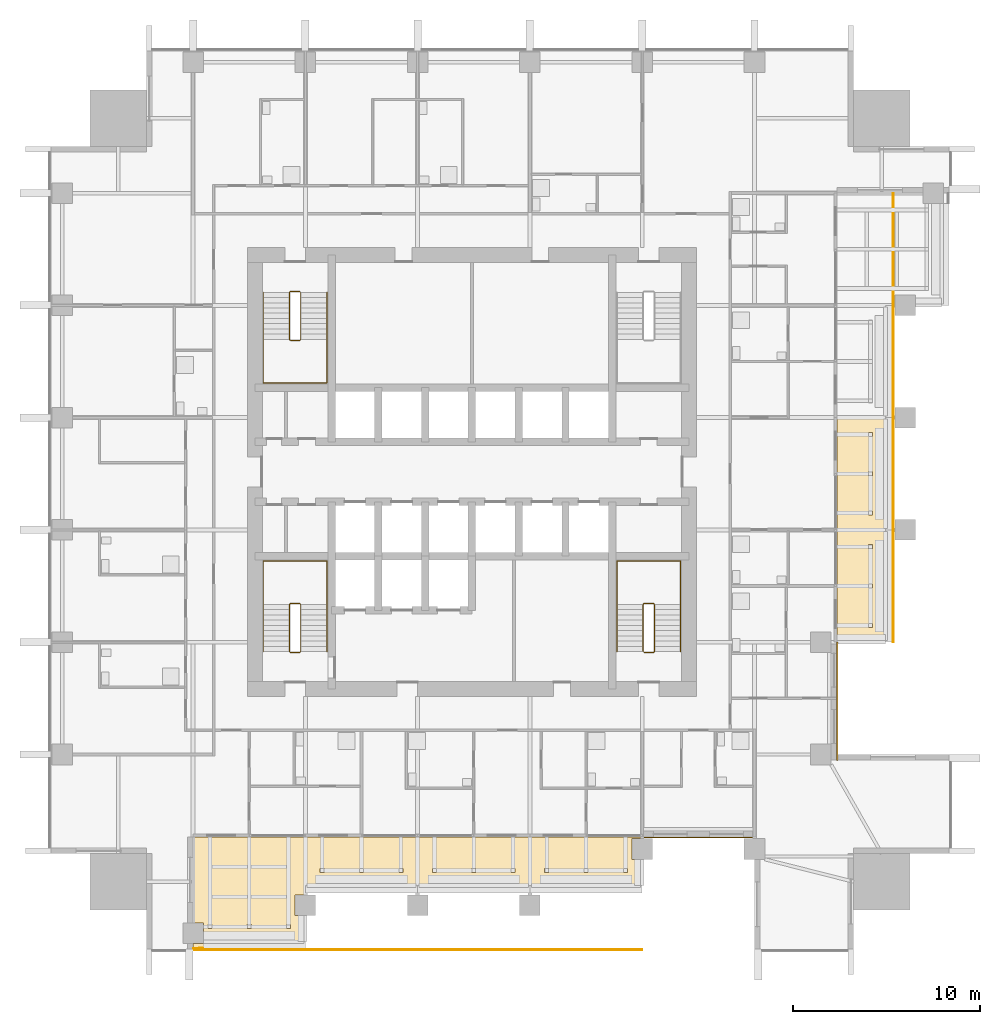
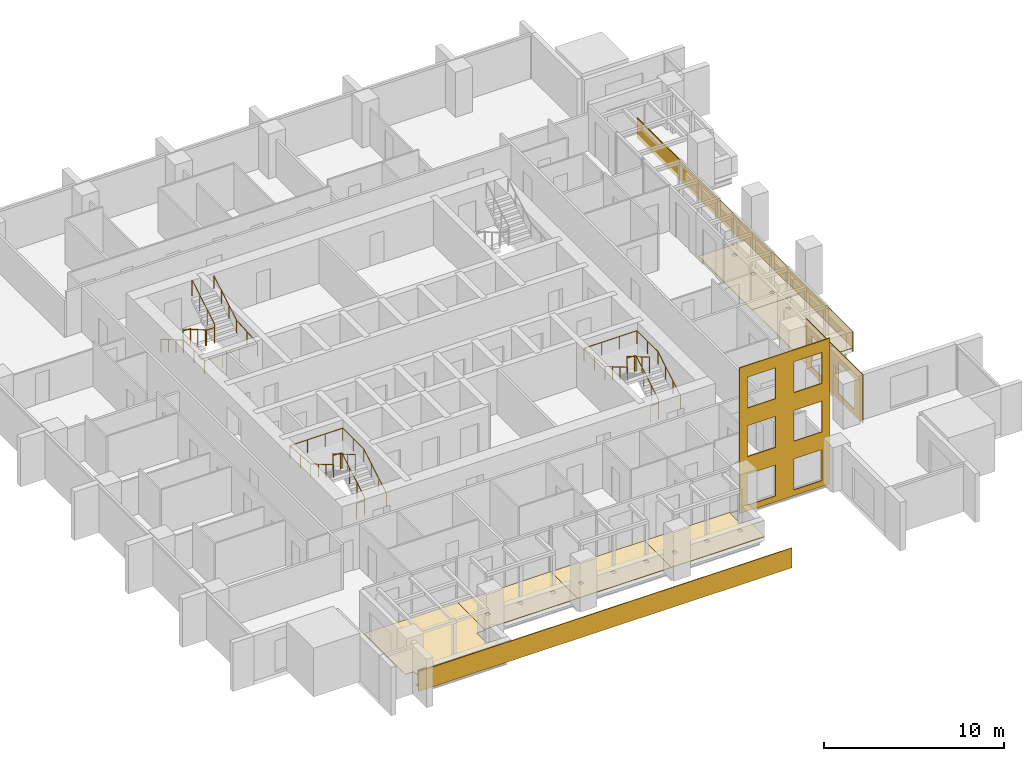
# One storey, part 14 of 16: 10 coverings, 7 railings.
"""IFC4 building model written with IfcOpenShell, lengths in metres."""

from ifc_helpers import new_model, si_unit, direction, frame, origin, origin_2d, place, context, subcontext, project, spatial, polyline, circle, outline, extrude, material, layer, layer_set, type_object, element, save


model = new_model("IFC4")

# Units and contexts
model_context = context("Model", 3, precision=1e-05, world=origin(), true_north=direction((0.0, 1.0)))
body_context = subcontext(model_context, "Body", "Model", "MODEL_VIEW")
ifc_project = project(units=[si_unit("LENGTHUNIT", "METRE"), si_unit("AREAUNIT", "SQUARE_METRE"), si_unit("VOLUMEUNIT", "CUBIC_METRE"), si_unit("PLANEANGLEUNIT", "RADIAN"), si_unit("MASSUNIT", "GRAM", prefix="KILO")], contexts=[model_context])

# Site, building, storey
site_placement = place(None, origin())
site = spatial("IfcSite", under=ifc_project, at=site_placement, CompositionType="ELEMENT")
building_placement = place(site_placement, origin())
building = spatial("IfcBuilding", under=site, at=building_placement, Name="Amberfall Residences", CompositionType="ELEMENT")
storey_placement = place(building_placement, frame((0.0, 0.0, 108.39990234375)))
storey = spatial("IfcBuildingStorey", under=building, at=storey_placement, Name="L29", CompositionType="ELEMENT", Elevation=108.39990234375)

# Coverings
ifc_material_1 = material(Name="Pale limestone cladding", Category="masonry")
ifc_layer_1 = layer(ifc_material_1, 0.050048828125)
ifc_layer_set_1 = layer_set([ifc_layer_1], Name="Limestone fascia 50")
covering_type_1 = type_object("IfcCoveringType", Name="Limestone fascia 50", PredefinedType="CLADDING", material=ifc_layer_set_1)
covering_1_placement = place(storey_placement, frame((0.0, 0.0, -0.25)))
element("IfcCovering", 1, at=covering_1_placement, inside=storey, type_object=covering_type_1, Name="Limestone terrace fascia L29 S1", PredefinedType="CLADDING", context=body_context, shape_type="SweptSolid", body=[
    extrude(outline(polyline([(59.60009765625, 20.0), (83.60009765625, 20.0), (83.60009765625, 19.949951171875), (59.60009765625, 19.949951171875), (59.60009765625, 20.0)])), origin(), (0.0, 0.0, 1.0), 1.35009765625),
])
covering_2_placement = place(storey_placement, frame((0.0, 0.0, -0.25)))
element("IfcCovering", 2, at=covering_2_placement, inside=storey, type_object=covering_type_1, Name="Limestone terrace fascia L29 E1", PredefinedType="CLADDING", context=body_context, shape_type="SweptSolid", body=[
    extrude(outline(polyline([(97.0, 36.39990234375), (97.0, 60.39990234375), (97.050048828125, 60.39990234375), (97.050048828125, 36.39990234375), (97.0, 36.39990234375)])), origin(), (0.0, 0.0, 1.0), 1.35009765625),
])
covering_3_placement = place(storey_placement, frame((94.0, 30.10009765625, 3.050048828125), z_axis=(-1.0, 0.0, 0.0), x_axis=(0.0, 1.0, 0.0)))
element("IfcCovering", 3, at=covering_3_placement, inside=storey, type_object=covering_type_1, Name="Pale limestone cladding L29 E", PredefinedType="CLADDING", context=body_context, shape_type="SweptSolid", body=[
    extrude(outline(polyline([(0.0, 0.0), (6.2998046875, 0.0), (6.2998046875, 3.300048828125), (0.0, 3.300048828125), (0.0, 0.0)]), holes=[polyline([(0.89990234375, 0.800048828125), (2.699951171875, 0.800048828125), (2.699951171875, 2.89990234375), (0.89990234375, 2.89990234375), (0.89990234375, 0.800048828125)]), polyline([(3.89990234375, 0.800048828125), (5.699951171875, 0.800048828125), (5.699951171875, 2.89990234375), (3.89990234375, 2.89990234375), (3.89990234375, 0.800048828125)])]), origin(), (0.0, 0.0, -1.0), 0.050048828125),
])
covering_4_placement = place(storey_placement, frame((83.699951171875, 26.0, 9.650146484375), z_axis=(0.0, 1.0, 0.0), x_axis=(1.0, 0.0, 0.0)))
element("IfcCovering", 4, at=covering_4_placement, inside=storey, type_object=covering_type_1, Name="Pale limestone cladding L29-L31 S", PredefinedType="CLADDING", context=body_context, shape_type="SweptSolid", body=[
    extrude(outline(polyline([(0.0, 0.0), (5.7900390625, 0.0), (5.7900390625, 9.900146484375), (0.0, 9.900146484375), (0.0, 0.0)]), holes=[polyline([(0.5, 7.400146484375), (2.300048828125, 7.400146484375), (2.300048828125, 9.5), (0.5, 9.5), (0.5, 7.400146484375)]), polyline([(3.5, 7.400146484375), (5.300048828125, 7.400146484375), (5.300048828125, 9.5), (3.5, 9.5), (3.5, 7.400146484375)]), polyline([(0.5, 4.10009765625), (2.300048828125, 4.10009765625), (2.300048828125, 6.199951171875), (0.5, 6.199951171875), (0.5, 4.10009765625)]), polyline([(3.5, 4.10009765625), (5.300048828125, 4.10009765625), (5.300048828125, 6.199951171875), (3.5, 6.199951171875), (3.5, 4.10009765625)]), polyline([(0.5, 0.800048828125), (2.300048828125, 0.800048828125), (2.300048828125, 2.900146484375), (0.5, 2.900146484375), (0.5, 0.800048828125)]), polyline([(3.5, 0.800048828125), (5.300048828125, 0.800048828125), (5.300048828125, 2.900146484375), (3.5, 2.900146484375), (3.5, 0.800048828125)])]), origin(), (0.0, 0.0, -1.0), 0.050048828125),
])
ifc_material_2 = material(Name="Pale stone paving", Category="masonry")
ifc_layer_2 = layer(ifc_material_2, 0.030029296875)
ifc_layer_set_2 = layer_set([ifc_layer_2], Name="Pale stone paving 30")
covering_type_2 = type_object("IfcCoveringType", Name="Pale stone paving 30", PredefinedType="FLOORING", material=ifc_layer_set_2)
covering_5_placement = place(storey_placement, origin())
element("IfcCovering", 5, at=covering_5_placement, inside=storey, type_object=covering_type_2, Name="Pale stone paving L29 S1", PredefinedType="FLOORING", context=body_context, shape_type="SweptSolid", body=[
    extrude(outline(polyline([(65.60009765625, 20.0), (65.60009765625, 21.800048828125), (65.050048828125, 21.800048828125), (65.050048828125, 22.89990234375), (65.60009765625, 22.89990234375), (65.60009765625, 26.0), (59.60009765625, 26.0), (59.60009765625, 21.39990234375), (60.14990234375, 21.39990234375), (60.14990234375, 20.300048828125), (59.60009765625, 20.300048828125), (59.60009765625, 20.0), (65.60009765625, 20.0)]), holes=[polyline([(60.389892578125, 21.090087890625), (60.610107421875, 21.090087890625), (60.610107421875, 21.31005859375), (60.389892578125, 21.31005859375), (60.389892578125, 21.090087890625)]), polyline([(62.489990234375, 21.090087890625), (62.7099609375, 21.090087890625), (62.7099609375, 21.31005859375), (62.489990234375, 21.31005859375), (62.489990234375, 21.090087890625)]), polyline([(64.590087890625, 21.090087890625), (64.81005859375, 21.090087890625), (64.81005859375, 21.31005859375), (64.590087890625, 21.31005859375), (64.590087890625, 21.090087890625)])]), origin(), (0.0, 0.0, 1.0), 0.030029296875),
])
covering_6_placement = place(storey_placement, origin())
element("IfcCovering", 6, at=covering_6_placement, inside=storey, type_object=covering_type_2, Name="Pale stone paving L29 S2", PredefinedType="FLOORING", context=body_context, shape_type="SweptSolid", body=[
    extrude(outline(polyline([(71.60009765625, 26.0), (65.60009765625, 26.0), (65.60009765625, 23.0), (71.60009765625, 23.0), (71.60009765625, 26.0)]), holes=[polyline([(66.389892578125, 24.090087890625), (66.610107421875, 24.090087890625), (66.610107421875, 24.31005859375), (66.389892578125, 24.31005859375), (66.389892578125, 24.090087890625)]), polyline([(68.489990234375, 24.090087890625), (68.7099609375, 24.090087890625), (68.7099609375, 24.31005859375), (68.489990234375, 24.31005859375), (68.489990234375, 24.090087890625)]), polyline([(70.590087890625, 24.090087890625), (70.81005859375, 24.090087890625), (70.81005859375, 24.31005859375), (70.590087890625, 24.31005859375), (70.590087890625, 24.090087890625)])]), origin(), (0.0, 0.0, 1.0), 0.030029296875),
])
covering_7_placement = place(storey_placement, origin())
element("IfcCovering", 7, at=covering_7_placement, inside=storey, type_object=covering_type_2, Name="Pale stone paving L29 S3", PredefinedType="FLOORING", context=body_context, shape_type="SweptSolid", body=[
    extrude(outline(polyline([(77.60009765625, 26.0), (71.60009765625, 26.0), (71.60009765625, 23.0), (77.60009765625, 23.0), (77.60009765625, 26.0)]), holes=[polyline([(72.389892578125, 24.090087890625), (72.610107421875, 24.090087890625), (72.610107421875, 24.31005859375), (72.389892578125, 24.31005859375), (72.389892578125, 24.090087890625)]), polyline([(74.489990234375, 24.090087890625), (74.7099609375, 24.090087890625), (74.7099609375, 24.31005859375), (74.489990234375, 24.31005859375), (74.489990234375, 24.090087890625)]), polyline([(76.590087890625, 24.090087890625), (76.81005859375, 24.090087890625), (76.81005859375, 24.31005859375), (76.590087890625, 24.31005859375), (76.590087890625, 24.090087890625)])]), origin(), (0.0, 0.0, 1.0), 0.030029296875),
])
covering_8_placement = place(storey_placement, origin())
element("IfcCovering", 8, at=covering_8_placement, inside=storey, type_object=covering_type_2, Name="Pale stone paving L29 S4", PredefinedType="FLOORING", context=body_context, shape_type="SweptSolid", body=[
    extrude(outline(polyline([(83.60009765625, 26.0), (77.60009765625, 26.0), (77.60009765625, 23.0), (83.60009765625, 23.0), (83.60009765625, 24.800048828125), (83.050048828125, 24.800048828125), (83.050048828125, 25.89990234375), (83.60009765625, 25.89990234375), (83.60009765625, 26.0)]), holes=[polyline([(78.389892578125, 24.090087890625), (78.610107421875, 24.090087890625), (78.610107421875, 24.31005859375), (78.389892578125, 24.31005859375), (78.389892578125, 24.090087890625)]), polyline([(80.489990234375, 24.090087890625), (80.7099609375, 24.090087890625), (80.7099609375, 24.31005859375), (80.489990234375, 24.31005859375), (80.489990234375, 24.090087890625)]), polyline([(82.590087890625, 24.090087890625), (82.81005859375, 24.090087890625), (82.81005859375, 24.31005859375), (82.590087890625, 24.31005859375), (82.590087890625, 24.090087890625)])]), origin(), (0.0, 0.0, 1.0), 0.030029296875),
])
covering_9_placement = place(storey_placement, origin())
element("IfcCovering", 9, at=covering_9_placement, inside=storey, type_object=covering_type_2, Name="Pale stone paving L29 E2", PredefinedType="FLOORING", context=body_context, shape_type="SweptSolid", body=[
    extrude(outline(polyline([(94.0, 42.39990234375), (94.0, 36.39990234375), (97.0, 36.39990234375), (97.0, 42.39990234375), (94.0, 42.39990234375)]), holes=[polyline([(95.68994140625, 37.18994140625), (95.909912109375, 37.18994140625), (95.909912109375, 37.409912109375), (95.68994140625, 37.409912109375), (95.68994140625, 37.18994140625)]), polyline([(95.68994140625, 39.2900390625), (95.909912109375, 39.2900390625), (95.909912109375, 39.510009765625), (95.68994140625, 39.510009765625), (95.68994140625, 39.2900390625)]), polyline([(95.68994140625, 41.389892578125), (95.909912109375, 41.389892578125), (95.909912109375, 41.610107421875), (95.68994140625, 41.610107421875), (95.68994140625, 41.389892578125)])]), origin(), (0.0, 0.0, 1.0), 0.030029296875),
])
covering_10_placement = place(storey_placement, origin())
element("IfcCovering", 10, at=covering_10_placement, inside=storey, type_object=covering_type_2, Name="Pale stone paving L29 E3", PredefinedType="FLOORING", context=body_context, shape_type="SweptSolid", body=[
    extrude(outline(polyline([(94.0, 48.39990234375), (94.0, 42.39990234375), (97.0, 42.39990234375), (97.0, 48.39990234375), (94.0, 48.39990234375)]), holes=[polyline([(95.68994140625, 43.18994140625), (95.909912109375, 43.18994140625), (95.909912109375, 43.409912109375), (95.68994140625, 43.409912109375), (95.68994140625, 43.18994140625)]), polyline([(95.68994140625, 45.2900390625), (95.909912109375, 45.2900390625), (95.909912109375, 45.510009765625), (95.68994140625, 45.510009765625), (95.68994140625, 45.2900390625)]), polyline([(95.68994140625, 47.389892578125), (95.909912109375, 47.389892578125), (95.909912109375, 47.610107421875), (95.68994140625, 47.610107421875), (95.68994140625, 47.389892578125)])]), origin(), (0.0, 0.0, 1.0), 0.030029296875),
])

# Railings
ifc_material_3 = material(Name="Stainless steel 316", Category="steel")
railing_type_1 = type_object("IfcRailingType", Name="Stair guard 1100", PredefinedType="GUARDRAIL", material=ifc_material_3)
railing_1_placement = place(storey_placement, frame((64.800048828125, 35.85009765625, 0.0)))
element("IfcRailing", 11, at=railing_1_placement, inside=storey, type_object=railing_type_1, Name="L29 stair 1 guard", PredefinedType="GUARDRAIL", context=body_context, shape_type="SweptSolid", body=[
    extrude(circle(Radius=0.02392578125, at=origin_2d()), frame((0.0, 0.0, 1.076171875), z_axis=(1.0, 0.0, 0.0), x_axis=(0.0, 1.0, 0.0)), (0.0, 0.0, 1.0), 0.5),
    extrude(circle(Radius=0.02392578125, at=origin_2d()), frame((0.5, 0.0, 1.076171875), z_axis=(0.278810427259, 0.277450376394, 0.919394384522), x_axis=(-0.705375805398, 0.708833529934, 0.0)), (0.0, 0.0, 1.0), 0.179443359375),
    extrude(circle(Radius=0.02392578125, at=origin_2d()), frame((0.550048828125, 0.0498046875, 1.2412109375), z_axis=(0.0, 0.86152411907, 0.507716645641), x_axis=(-1.0, 0.0, 0.0)), (0.0, 0.0, 1.0), 2.925048828125),
    extrude(circle(Radius=0.02392578125, at=origin_2d()), frame((0.550048828125, 2.56982421875, 2.72607421875), z_axis=(-0.707106781187, 0.707106781187, 0.0), x_axis=(-0.707106781187, -0.707106781187, 0.0)), (0.0, 0.0, 1.0), 0.07080078125),
    extrude(circle(Radius=0.02392578125, at=origin_2d()), frame((0.5, 2.619873046875, 2.72607421875), z_axis=(-1.0, 0.0, 0.0), x_axis=(0.0, -1.0, 0.0)), (0.0, 0.0, 1.0), 0.5),
    extrude(circle(Radius=0.02392578125, at=origin_2d()), frame((0.0, 2.619873046875, 2.72607421875), z_axis=(-0.278705021027, -0.278705021027, 0.919046801044), x_axis=(0.707106781187, -0.707106781187, 0.0)), (0.0, 0.0, 1.0), 0.1796875),
    extrude(circle(Radius=0.02392578125, at=origin_2d()), frame((-0.050048828125, 2.56982421875, 2.89111328125), z_axis=(0.0, -0.861560626758, 0.507654692109), x_axis=(1.0, 0.0, 0.0)), (0.0, 0.0, 1.0), 2.925048828125),
    extrude(circle(Radius=0.02099609375, at=origin_2d()), origin(), (0.0, 0.0, 1.0), 1.052001953125),
    extrude(circle(Radius=0.02099609375, at=origin_2d()), frame((0.5, 0.0, 0.0)), (0.0, 0.0, 1.0), 1.052001953125),
    extrude(circle(Radius=0.02099609375, at=origin_2d()), frame((0.550048828125, 0.0498046875, 0.1650390625)), (0.0, 0.0, 1.0), 1.052001953125),
    extrude(circle(Radius=0.02099609375, at=origin_2d()), frame((0.550048828125, 0.889892578125, 0.66015625)), (0.0, 0.0, 1.0), 1.052001953125),
    extrude(circle(Radius=0.02099609375, at=origin_2d()), frame((0.550048828125, 1.729736328125, 1.155029296875)), (0.0, 0.0, 1.0), 1.052001953125),
    extrude(circle(Radius=0.02099609375, at=origin_2d()), frame((0.550048828125, 2.56982421875, 1.650146484375)), (0.0, 0.0, 1.0), 1.052001953125),
    extrude(circle(Radius=0.02099609375, at=origin_2d()), frame((0.5, 2.619873046875, 1.650146484375)), (0.0, 0.0, 1.0), 1.052001953125),
    extrude(circle(Radius=0.02099609375, at=origin_2d()), frame((0.0, 2.619873046875, 1.650146484375)), (0.0, 0.0, 1.0), 1.052001953125),
    extrude(circle(Radius=0.02099609375, at=origin_2d()), frame((-0.050048828125, 2.56982421875, 1.815185546875)), (0.0, 0.0, 1.0), 1.052001953125),
    extrude(circle(Radius=0.02099609375, at=origin_2d()), frame((-0.050048828125, 1.729736328125, 2.31005859375)), (0.0, 0.0, 1.0), 1.052001953125),
    extrude(circle(Radius=0.02099609375, at=origin_2d()), frame((-0.050048828125, 0.889892578125, 2.80517578125)), (0.0, 0.0, 1.0), 1.052001953125),
    extrude(circle(Radius=0.02099609375, at=origin_2d()), frame((-0.050048828125, 0.0498046875, 3.300048828125)), (0.0, 0.0, 1.0), 1.052001953125),
])
railing_2_placement = place(storey_placement, frame((83.699951171875, 35.85009765625, 0.0)))
element("IfcRailing", 12, at=railing_2_placement, inside=storey, type_object=railing_type_1, Name="L29 stair 2 guard", PredefinedType="GUARDRAIL", context=body_context, shape_type="SweptSolid", body=[
    extrude(circle(Radius=0.02392578125, at=origin_2d()), frame((0.0, 0.0, 1.076171875), z_axis=(1.0, 0.0, 0.0), x_axis=(0.0, 1.0, 0.0)), (0.0, 0.0, 1.0), 0.5),
    extrude(circle(Radius=0.02392578125, at=origin_2d()), frame((0.5, 0.0, 1.076171875), z_axis=(0.278810427259, 0.277450376394, 0.919394384522), x_axis=(-0.705375805398, 0.708833529934, 0.0)), (0.0, 0.0, 1.0), 0.179443359375),
    extrude(circle(Radius=0.02392578125, at=origin_2d()), frame((0.550048828125, 0.0498046875, 1.2412109375), z_axis=(0.0, 0.86152411907, 0.507716645641), x_axis=(-1.0, 0.0, 0.0)), (0.0, 0.0, 1.0), 2.925048828125),
    extrude(circle(Radius=0.02392578125, at=origin_2d()), frame((0.550048828125, 2.56982421875, 2.72607421875), z_axis=(-0.707106781187, 0.707106781187, 0.0), x_axis=(-0.707106781187, -0.707106781187, 0.0)), (0.0, 0.0, 1.0), 0.07080078125),
    extrude(circle(Radius=0.02392578125, at=origin_2d()), frame((0.5, 2.619873046875, 2.72607421875), z_axis=(-1.0, 0.0, 0.0), x_axis=(0.0, -1.0, 0.0)), (0.0, 0.0, 1.0), 0.5),
    extrude(circle(Radius=0.02392578125, at=origin_2d()), frame((0.0, 2.619873046875, 2.72607421875), z_axis=(-0.278705021027, -0.278705021027, 0.919046801044), x_axis=(0.707106781187, -0.707106781187, 0.0)), (0.0, 0.0, 1.0), 0.1796875),
    extrude(circle(Radius=0.02392578125, at=origin_2d()), frame((-0.050048828125, 2.56982421875, 2.89111328125), z_axis=(0.0, -0.861560626758, 0.507654692109), x_axis=(1.0, 0.0, 0.0)), (0.0, 0.0, 1.0), 2.925048828125),
    extrude(circle(Radius=0.02099609375, at=origin_2d()), origin(), (0.0, 0.0, 1.0), 1.052001953125),
    extrude(circle(Radius=0.02099609375, at=origin_2d()), frame((0.5, 0.0, 0.0)), (0.0, 0.0, 1.0), 1.052001953125),
    extrude(circle(Radius=0.02099609375, at=origin_2d()), frame((0.550048828125, 0.0498046875, 0.1650390625)), (0.0, 0.0, 1.0), 1.052001953125),
    extrude(circle(Radius=0.02099609375, at=origin_2d()), frame((0.550048828125, 0.889892578125, 0.66015625)), (0.0, 0.0, 1.0), 1.052001953125),
    extrude(circle(Radius=0.02099609375, at=origin_2d()), frame((0.550048828125, 1.729736328125, 1.155029296875)), (0.0, 0.0, 1.0), 1.052001953125),
    extrude(circle(Radius=0.02099609375, at=origin_2d()), frame((0.550048828125, 2.56982421875, 1.650146484375)), (0.0, 0.0, 1.0), 1.052001953125),
    extrude(circle(Radius=0.02099609375, at=origin_2d()), frame((0.5, 2.619873046875, 1.650146484375)), (0.0, 0.0, 1.0), 1.052001953125),
    extrude(circle(Radius=0.02099609375, at=origin_2d()), frame((0.0, 2.619873046875, 1.650146484375)), (0.0, 0.0, 1.0), 1.052001953125),
    extrude(circle(Radius=0.02099609375, at=origin_2d()), frame((-0.050048828125, 2.56982421875, 1.815185546875)), (0.0, 0.0, 1.0), 1.052001953125),
    extrude(circle(Radius=0.02099609375, at=origin_2d()), frame((-0.050048828125, 1.729736328125, 2.31005859375)), (0.0, 0.0, 1.0), 1.052001953125),
    extrude(circle(Radius=0.02099609375, at=origin_2d()), frame((-0.050048828125, 0.889892578125, 2.80517578125)), (0.0, 0.0, 1.0), 1.052001953125),
    extrude(circle(Radius=0.02099609375, at=origin_2d()), frame((-0.050048828125, 0.0498046875, 3.300048828125)), (0.0, 0.0, 1.0), 1.052001953125),
])
railing_3_placement = place(storey_placement, frame((65.300048828125, 55.14990234375, 0.0)))
element("IfcRailing", 13, at=railing_3_placement, inside=storey, type_object=railing_type_1, Name="L29 stair 4 guard", PredefinedType="GUARDRAIL", context=body_context, shape_type="SweptSolid", body=[
    extrude(circle(Radius=0.02392578125, at=origin_2d()), frame((0.0, 0.0, 1.076171875), z_axis=(-1.0, 0.0, 0.0), x_axis=(0.0, -1.0, 0.0)), (0.0, 0.0, 1.0), 0.5),
    extrude(circle(Radius=0.02392578125, at=origin_2d()), frame((-0.5, 0.0, 1.076171875), z_axis=(-0.278810427259, -0.277450376394, 0.919394384522), x_axis=(0.705375805398, -0.708833529934, 0.0)), (0.0, 0.0, 1.0), 0.179443359375),
    extrude(circle(Radius=0.02392578125, at=origin_2d()), frame((-0.550048828125, -0.0498046875, 1.2412109375), z_axis=(0.0, -0.86152411907, 0.507716645641), x_axis=(1.0, 0.0, 0.0)), (0.0, 0.0, 1.0), 2.925048828125),
    extrude(circle(Radius=0.02392578125, at=origin_2d()), frame((-0.550048828125, -2.56982421875, 2.72607421875), z_axis=(0.707106781187, -0.707106781187, 0.0), x_axis=(0.707106781187, 0.707106781187, 0.0)), (0.0, 0.0, 1.0), 0.07080078125),
    extrude(circle(Radius=0.02392578125, at=origin_2d()), frame((-0.5, -2.619873046875, 2.72607421875), z_axis=(1.0, 0.0, 0.0), x_axis=(0.0, 1.0, 0.0)), (0.0, 0.0, 1.0), 0.5),
    extrude(circle(Radius=0.02392578125, at=origin_2d()), frame((0.0, -2.619873046875, 2.72607421875), z_axis=(0.278705021027, 0.278705021027, 0.919046801044), x_axis=(-0.707106781187, 0.707106781187, 0.0)), (0.0, 0.0, 1.0), 0.1796875),
    extrude(circle(Radius=0.02392578125, at=origin_2d()), frame((0.050048828125, -2.56982421875, 2.89111328125), z_axis=(0.0, 0.861560626758, 0.507654692109), x_axis=(-1.0, 0.0, 0.0)), (0.0, 0.0, 1.0), 2.925048828125),
    extrude(circle(Radius=0.02099609375, at=origin_2d()), origin(), (0.0, 0.0, 1.0), 1.052001953125),
    extrude(circle(Radius=0.02099609375, at=origin_2d()), frame((-0.5, 0.0, 0.0)), (0.0, 0.0, 1.0), 1.052001953125),
    extrude(circle(Radius=0.02099609375, at=origin_2d()), frame((-0.550048828125, -0.0498046875, 0.1650390625)), (0.0, 0.0, 1.0), 1.052001953125),
    extrude(circle(Radius=0.02099609375, at=origin_2d()), frame((-0.550048828125, -0.889892578125, 0.66015625)), (0.0, 0.0, 1.0), 1.052001953125),
    extrude(circle(Radius=0.02099609375, at=origin_2d()), frame((-0.550048828125, -1.729736328125, 1.155029296875)), (0.0, 0.0, 1.0), 1.052001953125),
    extrude(circle(Radius=0.02099609375, at=origin_2d()), frame((-0.550048828125, -2.56982421875, 1.650146484375)), (0.0, 0.0, 1.0), 1.052001953125),
    extrude(circle(Radius=0.02099609375, at=origin_2d()), frame((-0.5, -2.619873046875, 1.650146484375)), (0.0, 0.0, 1.0), 1.052001953125),
    extrude(circle(Radius=0.02099609375, at=origin_2d()), frame((0.0, -2.619873046875, 1.650146484375)), (0.0, 0.0, 1.0), 1.052001953125),
    extrude(circle(Radius=0.02099609375, at=origin_2d()), frame((0.050048828125, -2.56982421875, 1.815185546875)), (0.0, 0.0, 1.0), 1.052001953125),
    extrude(circle(Radius=0.02099609375, at=origin_2d()), frame((0.050048828125, -1.729736328125, 2.31005859375)), (0.0, 0.0, 1.0), 1.052001953125),
    extrude(circle(Radius=0.02099609375, at=origin_2d()), frame((0.050048828125, -0.889892578125, 2.80517578125)), (0.0, 0.0, 1.0), 1.052001953125),
    extrude(circle(Radius=0.02099609375, at=origin_2d()), frame((0.050048828125, -0.0498046875, 3.300048828125)), (0.0, 0.0, 1.0), 1.052001953125),
])
railing_type_2 = type_object("IfcRailingType", Name="Stair handrail 900", PredefinedType="HANDRAIL", material=ifc_material_3)
railing_4_placement = place(storey_placement, frame((66.75, 35.89990234375, 0.1650390625)))
element("IfcRailing", 14, at=railing_4_placement, inside=storey, type_object=railing_type_2, Name="L29 stair 1 handrail", PredefinedType="HANDRAIL", context=body_context, shape_type="SweptSolid", body=[
    extrude(circle(Radius=0.02392578125, at=origin_2d()), frame((0.0, 0.0, 0.8759765625), z_axis=(0.0, 0.86152411907, 0.507716645641), x_axis=(-1.0, 0.0, 0.0)), (0.0, 0.0, 1.0), 2.925048828125),
    extrude(circle(Radius=0.02392578125, at=origin_2d()), frame((0.0, 2.52001953125, 2.36083984375), z_axis=(0.0, 1.0, 0.0), x_axis=(-1.0, 0.0, 0.0)), (0.0, 0.0, 1.0), 2.330078125),
    extrude(circle(Radius=0.02392578125, at=origin_2d()), frame((0.0, 4.85009765625, 2.36083984375), z_axis=(-1.0, 0.0, 0.0), x_axis=(0.0, -1.0, 0.0)), (0.0, 0.0, 1.0), 3.39990234375),
    extrude(circle(Radius=0.02392578125, at=origin_2d()), frame((-3.39990234375, 4.85009765625, 2.36083984375), z_axis=(0.0, -0.997500965899, 0.07065283455), x_axis=(1.0, 0.0, 0.0)), (0.0, 0.0, 1.0), 2.3359375),
    extrude(circle(Radius=0.02392578125, at=origin_2d()), frame((-3.39990234375, 2.52001953125, 2.52587890625), z_axis=(0.0, -0.861560626758, 0.507654692109), x_axis=(1.0, 0.0, 0.0)), (0.0, 0.0, 1.0), 2.925048828125),
    extrude(circle(Radius=0.02099609375, at=origin_2d()), origin(), (0.0, 0.0, 1.0), 0.851806640625),
    extrude(circle(Radius=0.02099609375, at=origin_2d()), frame((0.0, 0.840087890625, 0.4951171875)), (0.0, 0.0, 1.0), 0.851806640625),
    extrude(circle(Radius=0.02099609375, at=origin_2d()), frame((0.0, 1.679931640625, 0.989990234375)), (0.0, 0.0, 1.0), 0.851806640625),
    extrude(circle(Radius=0.02099609375, at=origin_2d()), frame((0.0, 2.52001953125, 1.485107421875)), (0.0, 0.0, 1.0), 0.851806640625),
    extrude(circle(Radius=0.02099609375, at=origin_2d()), frame((0.0, 3.68505859375, 1.485107421875)), (0.0, 0.0, 1.0), 0.851806640625),
    extrude(circle(Radius=0.02099609375, at=origin_2d()), frame((0.0, 4.85009765625, 1.485107421875)), (0.0, 0.0, 1.0), 0.851806640625),
    extrude(circle(Radius=0.02099609375, at=origin_2d()), frame((-1.13330078125, 4.85009765625, 1.485107421875)), (0.0, 0.0, 1.0), 0.851806640625),
    extrude(circle(Radius=0.02099609375, at=origin_2d()), frame((-2.2666015625, 4.85009765625, 1.485107421875)), (0.0, 0.0, 1.0), 0.851806640625),
    extrude(circle(Radius=0.02099609375, at=origin_2d()), frame((-3.39990234375, 4.85009765625, 1.485107421875)), (0.0, 0.0, 1.0), 0.851806640625),
    extrude(circle(Radius=0.02099609375, at=origin_2d()), frame((-3.39990234375, 3.68505859375, 1.567626953125)), (0.0, 0.0, 1.0), 0.851806640625),
    extrude(circle(Radius=0.02099609375, at=origin_2d()), frame((-3.39990234375, 2.52001953125, 1.650146484375)), (0.0, 0.0, 1.0), 0.851806640625),
    extrude(circle(Radius=0.02099609375, at=origin_2d()), frame((-3.39990234375, 1.679931640625, 2.14501953125)), (0.0, 0.0, 1.0), 0.851806640625),
    extrude(circle(Radius=0.02099609375, at=origin_2d()), frame((-3.39990234375, 0.840087890625, 2.64013671875)), (0.0, 0.0, 1.0), 0.851806640625),
    extrude(circle(Radius=0.02099609375, at=origin_2d()), frame((-3.39990234375, 0.0, 3.135009765625)), (0.0, 0.0, 1.0), 0.851806640625),
])
railing_5_placement = place(storey_placement, frame((85.64990234375, 35.89990234375, 0.1650390625)))
element("IfcRailing", 15, at=railing_5_placement, inside=storey, type_object=railing_type_2, Name="L29 stair 2 handrail", PredefinedType="HANDRAIL", context=body_context, shape_type="SweptSolid", body=[
    extrude(circle(Radius=0.02392578125, at=origin_2d()), frame((0.0, 0.0, 0.8759765625), z_axis=(0.0, 0.86152411907, 0.507716645641), x_axis=(-1.0, 0.0, 0.0)), (0.0, 0.0, 1.0), 2.925048828125),
    extrude(circle(Radius=0.02392578125, at=origin_2d()), frame((0.0, 2.52001953125, 2.36083984375), z_axis=(0.0, 1.0, 0.0), x_axis=(-1.0, 0.0, 0.0)), (0.0, 0.0, 1.0), 2.330078125),
    extrude(circle(Radius=0.02392578125, at=origin_2d()), frame((0.0, 4.85009765625, 2.36083984375), z_axis=(-1.0, 0.0, 0.0), x_axis=(0.0, -1.0, 0.0)), (0.0, 0.0, 1.0), 3.39990234375),
    extrude(circle(Radius=0.02392578125, at=origin_2d()), frame((-3.39990234375, 4.85009765625, 2.36083984375), z_axis=(0.0, -0.997500965899, 0.07065283455), x_axis=(1.0, 0.0, 0.0)), (0.0, 0.0, 1.0), 2.3359375),
    extrude(circle(Radius=0.02392578125, at=origin_2d()), frame((-3.39990234375, 2.52001953125, 2.52587890625), z_axis=(0.0, -0.861560626758, 0.507654692109), x_axis=(1.0, 0.0, 0.0)), (0.0, 0.0, 1.0), 2.925048828125),
    extrude(circle(Radius=0.02099609375, at=origin_2d()), origin(), (0.0, 0.0, 1.0), 0.851806640625),
    extrude(circle(Radius=0.02099609375, at=origin_2d()), frame((0.0, 0.840087890625, 0.4951171875)), (0.0, 0.0, 1.0), 0.851806640625),
    extrude(circle(Radius=0.02099609375, at=origin_2d()), frame((0.0, 1.679931640625, 0.989990234375)), (0.0, 0.0, 1.0), 0.851806640625),
    extrude(circle(Radius=0.02099609375, at=origin_2d()), frame((0.0, 2.52001953125, 1.485107421875)), (0.0, 0.0, 1.0), 0.851806640625),
    extrude(circle(Radius=0.02099609375, at=origin_2d()), frame((0.0, 3.68505859375, 1.485107421875)), (0.0, 0.0, 1.0), 0.851806640625),
    extrude(circle(Radius=0.02099609375, at=origin_2d()), frame((0.0, 4.85009765625, 1.485107421875)), (0.0, 0.0, 1.0), 0.851806640625),
    extrude(circle(Radius=0.02099609375, at=origin_2d()), frame((-1.13330078125, 4.85009765625, 1.485107421875)), (0.0, 0.0, 1.0), 0.851806640625),
    extrude(circle(Radius=0.02099609375, at=origin_2d()), frame((-2.2666015625, 4.85009765625, 1.485107421875)), (0.0, 0.0, 1.0), 0.851806640625),
    extrude(circle(Radius=0.02099609375, at=origin_2d()), frame((-3.39990234375, 4.85009765625, 1.485107421875)), (0.0, 0.0, 1.0), 0.851806640625),
    extrude(circle(Radius=0.02099609375, at=origin_2d()), frame((-3.39990234375, 3.68505859375, 1.567626953125)), (0.0, 0.0, 1.0), 0.851806640625),
    extrude(circle(Radius=0.02099609375, at=origin_2d()), frame((-3.39990234375, 2.52001953125, 1.650146484375)), (0.0, 0.0, 1.0), 0.851806640625),
    extrude(circle(Radius=0.02099609375, at=origin_2d()), frame((-3.39990234375, 1.679931640625, 2.14501953125)), (0.0, 0.0, 1.0), 0.851806640625),
    extrude(circle(Radius=0.02099609375, at=origin_2d()), frame((-3.39990234375, 0.840087890625, 2.64013671875)), (0.0, 0.0, 1.0), 0.851806640625),
    extrude(circle(Radius=0.02099609375, at=origin_2d()), frame((-3.39990234375, 0.0, 3.135009765625)), (0.0, 0.0, 1.0), 0.851806640625),
])
railing_6_placement = place(storey_placement, frame((63.35009765625, 55.10009765625, 0.1650390625)))
element("IfcRailing", 16, at=railing_6_placement, inside=storey, type_object=railing_type_2, Name="L29 stair 4 handrail", PredefinedType="HANDRAIL", context=body_context, shape_type="SweptSolid", body=[
    extrude(circle(Radius=0.02392578125, at=origin_2d()), frame((0.0, 0.0, 0.8759765625), z_axis=(0.0, -0.86152411907, 0.507716645641), x_axis=(1.0, 0.0, 0.0)), (0.0, 0.0, 1.0), 2.925048828125),
    extrude(circle(Radius=0.02392578125, at=origin_2d()), frame((0.0, -2.52001953125, 2.36083984375), z_axis=(0.0, -1.0, 0.0), x_axis=(1.0, 0.0, 0.0)), (0.0, 0.0, 1.0), 2.330078125),
    extrude(circle(Radius=0.02392578125, at=origin_2d()), frame((0.0, -4.85009765625, 2.36083984375), z_axis=(1.0, 0.0, 0.0), x_axis=(0.0, 1.0, 0.0)), (0.0, 0.0, 1.0), 3.39990234375),
    extrude(circle(Radius=0.02392578125, at=origin_2d()), frame((3.39990234375, -4.85009765625, 2.36083984375), z_axis=(0.0, 0.997500965899, 0.07065283455), x_axis=(-1.0, 0.0, 0.0)), (0.0, 0.0, 1.0), 2.3359375),
    extrude(circle(Radius=0.02392578125, at=origin_2d()), frame((3.39990234375, -2.52001953125, 2.52587890625), z_axis=(0.0, 0.861560626758, 0.507654692109), x_axis=(-1.0, 0.0, 0.0)), (0.0, 0.0, 1.0), 2.925048828125),
    extrude(circle(Radius=0.02099609375, at=origin_2d()), origin(), (0.0, 0.0, 1.0), 0.851806640625),
    extrude(circle(Radius=0.02099609375, at=origin_2d()), frame((0.0, -0.840087890625, 0.4951171875)), (0.0, 0.0, 1.0), 0.851806640625),
    extrude(circle(Radius=0.02099609375, at=origin_2d()), frame((0.0, -1.679931640625, 0.989990234375)), (0.0, 0.0, 1.0), 0.851806640625),
    extrude(circle(Radius=0.02099609375, at=origin_2d()), frame((0.0, -2.52001953125, 1.485107421875)), (0.0, 0.0, 1.0), 0.851806640625),
    extrude(circle(Radius=0.02099609375, at=origin_2d()), frame((0.0, -3.68505859375, 1.485107421875)), (0.0, 0.0, 1.0), 0.851806640625),
    extrude(circle(Radius=0.02099609375, at=origin_2d()), frame((0.0, -4.85009765625, 1.485107421875)), (0.0, 0.0, 1.0), 0.851806640625),
    extrude(circle(Radius=0.02099609375, at=origin_2d()), frame((1.13330078125, -4.85009765625, 1.485107421875)), (0.0, 0.0, 1.0), 0.851806640625),
    extrude(circle(Radius=0.02099609375, at=origin_2d()), frame((2.2666015625, -4.85009765625, 1.485107421875)), (0.0, 0.0, 1.0), 0.851806640625),
    extrude(circle(Radius=0.02099609375, at=origin_2d()), frame((3.39990234375, -4.85009765625, 1.485107421875)), (0.0, 0.0, 1.0), 0.851806640625),
    extrude(circle(Radius=0.02099609375, at=origin_2d()), frame((3.39990234375, -3.68505859375, 1.567626953125)), (0.0, 0.0, 1.0), 0.851806640625),
    extrude(circle(Radius=0.02099609375, at=origin_2d()), frame((3.39990234375, -2.52001953125, 1.650146484375)), (0.0, 0.0, 1.0), 0.851806640625),
    extrude(circle(Radius=0.02099609375, at=origin_2d()), frame((3.39990234375, -1.679931640625, 2.14501953125)), (0.0, 0.0, 1.0), 0.851806640625),
    extrude(circle(Radius=0.02099609375, at=origin_2d()), frame((3.39990234375, -0.840087890625, 2.64013671875)), (0.0, 0.0, 1.0), 0.851806640625),
    extrude(circle(Radius=0.02099609375, at=origin_2d()), frame((3.39990234375, 0.0, 3.135009765625)), (0.0, 0.0, 1.0), 0.851806640625),
])
ifc_material_4 = material(Name="Bronze anodised aluminium and laminated glass", Category="aluminium")
railing_type_3 = type_object("IfcRailingType", Name="Terrace edge guard 1100", PredefinedType="GUARDRAIL", material=ifc_material_4)
railing_7_placement = place(storey_placement, frame((59.63134765625, 20.0322265625, 0.030029296875)))
element("IfcRailing", 17, at=railing_7_placement, inside=storey, type_object=railing_type_3, Name="Terrace guard L29 S1", PredefinedType="GUARDRAIL", context=body_context, shape_type="SweptSolid", body=[
    extrude(circle(Radius=0.02392578125, at=origin_2d()), frame((0.0, 0.0, 1.076171875), z_axis=(0.99987138241, 0.016038037212, 0.0), x_axis=(-0.016038037212, 0.99987138241, 0.0)), (0.0, 0.0, 1.0), 0.487060546875),
    extrude(circle(Radius=0.02099609375, at=origin_2d()), origin(), (0.0, 0.0, 1.0), 1.052001953125),
    extrude(circle(Radius=0.02099609375, at=origin_2d()), frame((0.487060546875, 0.0078125, 0.0)), (0.0, 0.0, 1.0), 1.052001953125),
])

save(model, "model.ifc")
